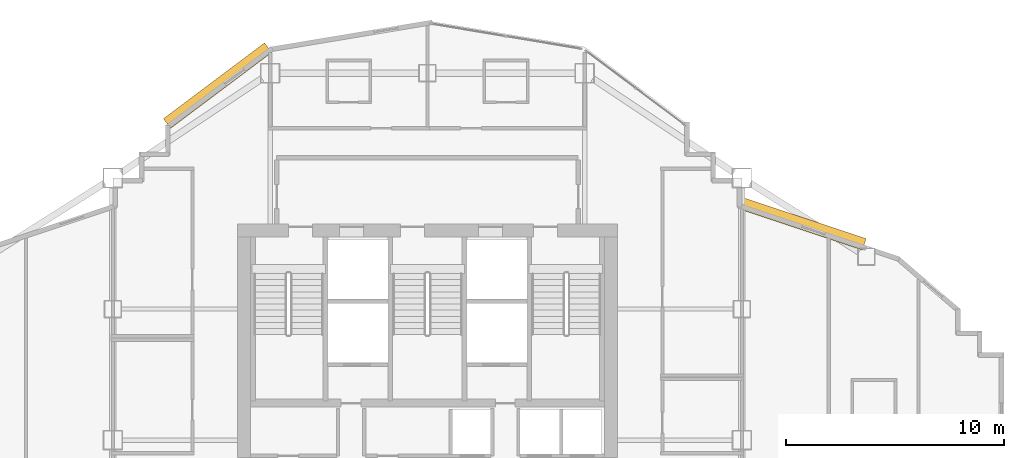
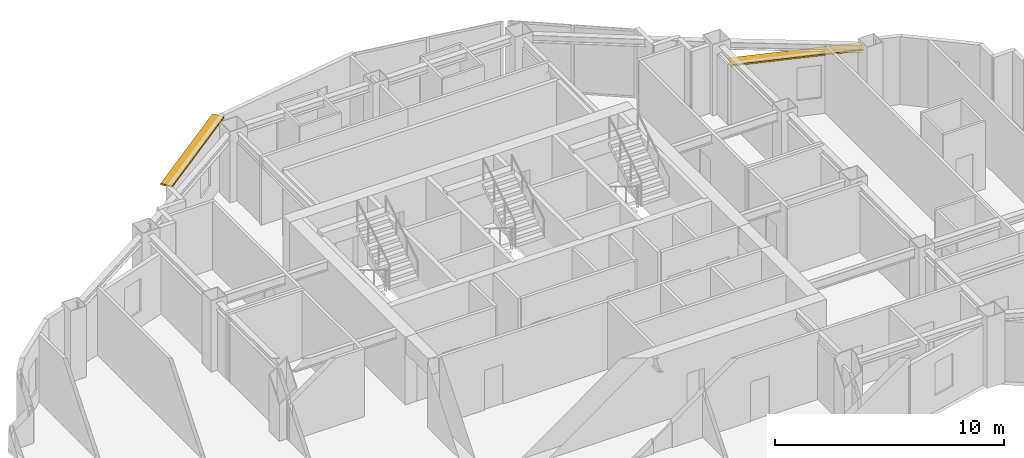
# One storey, part 12 of 12: 2 shading devices.
"""IFC4 building model written with IfcOpenShell, lengths in metres."""

from ifc_helpers import new_model, si_unit, direction, frame, origin, origin_2d, place, context, subcontext, project, spatial, rectangle, extrude, material, layer, layer_set, type_object, element, save


model = new_model("IFC4")

# Units and contexts
model_context = context("Model", 3, precision=1e-05, world=origin(), true_north=direction((0.0, 1.0)))
body_context = subcontext(model_context, "Body", "Model", "MODEL_VIEW")
ifc_project = project(units=[si_unit("LENGTHUNIT", "METRE"), si_unit("AREAUNIT", "SQUARE_METRE"), si_unit("VOLUMEUNIT", "CUBIC_METRE"), si_unit("PLANEANGLEUNIT", "RADIAN"), si_unit("MASSUNIT", "GRAM", prefix="KILO")], contexts=[model_context])

# Site, building, storey
site_placement = place(None, origin())
site = spatial("IfcSite", under=ifc_project, at=site_placement, CompositionType="ELEMENT")
building_placement = place(site_placement, origin())
building = spatial("IfcBuilding", under=site, at=building_placement, Name="Haolan Belvedere Tower", CompositionType="ELEMENT")
storey_placement = place(building_placement, frame((0.0, 0.0, 195.60009765625)))
storey = spatial("IfcBuildingStorey", under=building, at=storey_placement, Name="L49", CompositionType="ELEMENT", Elevation=195.60009765625)

# Shading devices
ifc_material = material(Name="Anodised champagne-silver aluminium 6063-T6", Category="aluminium")
ifc_layer = layer(ifc_material, 0.080078125, Name="Anodised champagne-silver aluminium 6063-T6")
ifc_layer_set = layer_set([ifc_layer], Name="Anodised champagne-silver aluminium 6063-T6")
shading_device_type = type_object("IfcShadingDeviceType", Name="SHD-SUN-550", PredefinedType="USERDEFINED", material=ifc_layer_set)
shading_device_1_placement = place(storey_placement, frame((55.601318359375, 43.497802734375, 3.11474609375), z_axis=(0.0, 0.0, 1.0), x_axis=(-0.948688534679, 0.316212055698, 0.0)))
element("IfcShadingDevice", 1, at=shading_device_1_placement, inside=storey, type_object=shading_device_type, Name="L49 pale-metal horizontal SUNSHADE band 14.2", ObjectType="SUNSHADE", PredefinedType="USERDEFINED", context=body_context, shape_type="SweptSolid", body=[
    extrude(rectangle(XDim=5.914306640625, YDim=0.550048828125, at=origin_2d()), origin(), (0.0, 0.0, 1.0), 0.080078125),
])
shading_device_2_placement = place(storey_placement, frame((28.793212890625, 49.83251953125, 3.519775390625), z_axis=(0.0, 0.0, 1.0), x_axis=(-0.799998928149, -0.600001429133, 0.0)))
element("IfcShadingDevice", 2, at=shading_device_2_placement, inside=storey, type_object=shading_device_type, Name="L49 pale-metal horizontal SUNSHADE band 23.1", ObjectType="SUNSHADE", PredefinedType="USERDEFINED", context=body_context, shape_type="SweptSolid", body=[
    extrude(rectangle(XDim=5.7880859375, YDim=0.550048828125, at=origin_2d()), origin(), (0.0, 0.0, 1.0), 0.080078125),
])

save(model, "model.ifc")
